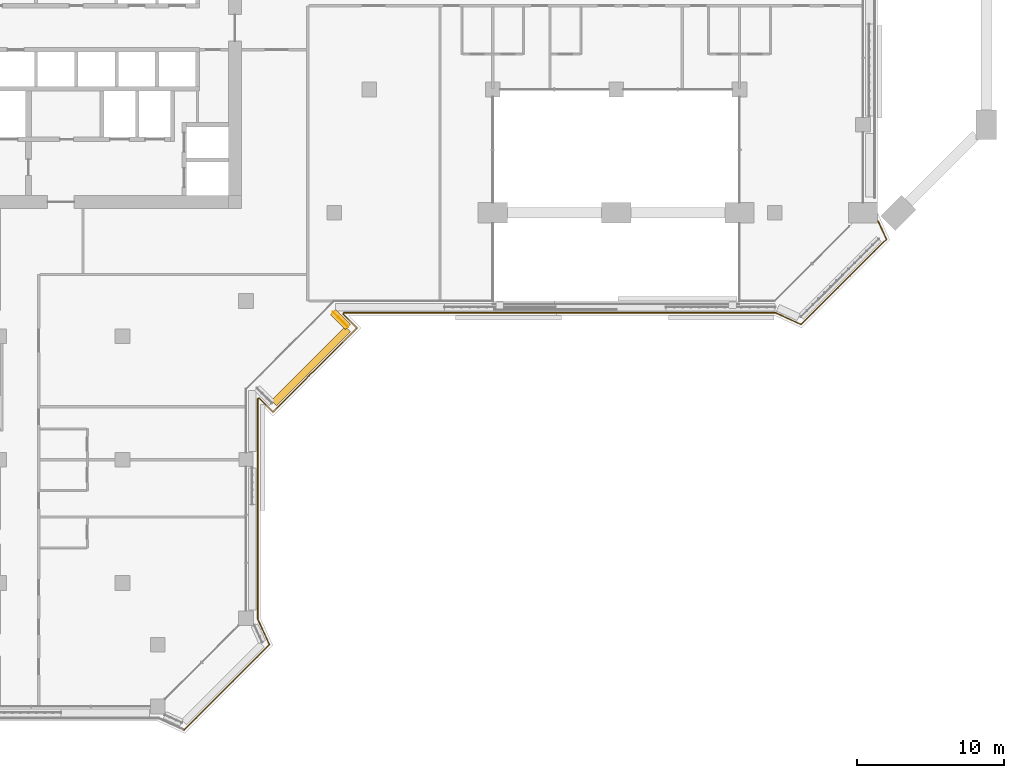
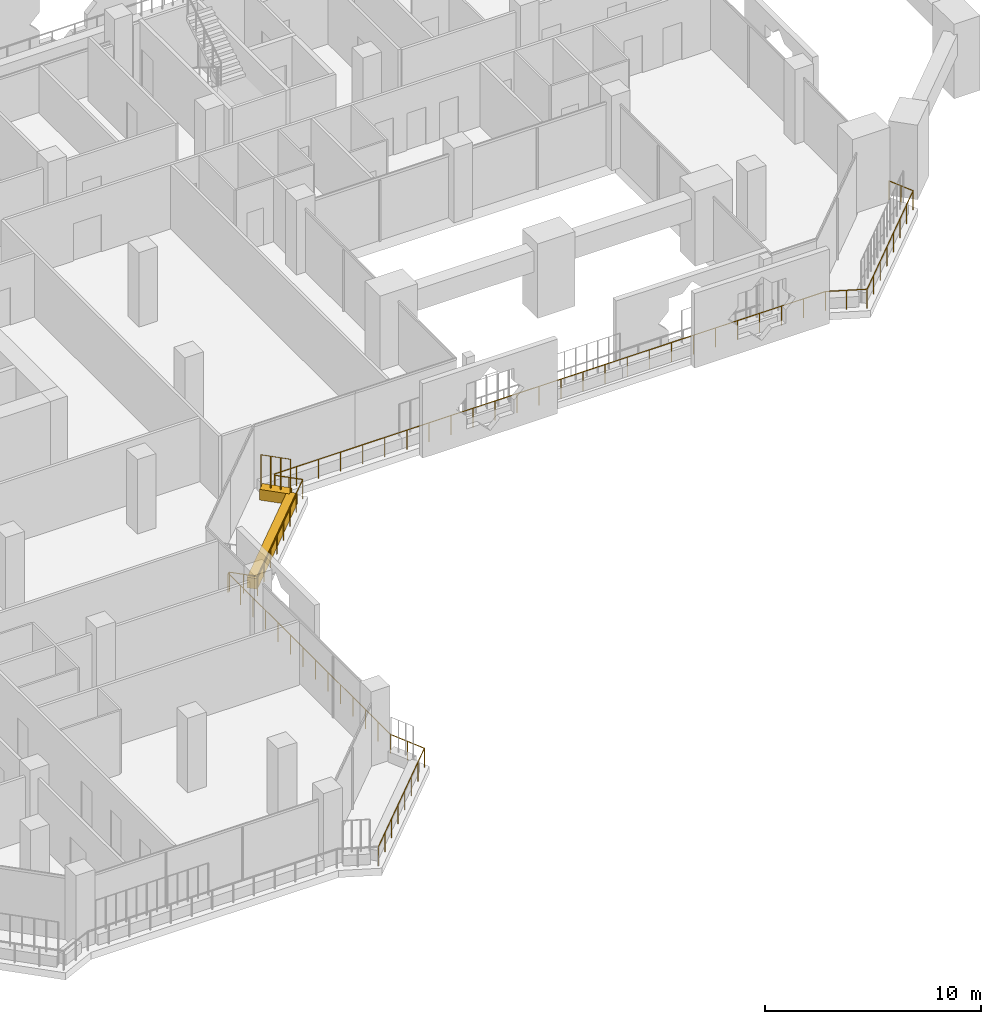
# One storey, part 18 of 23: 2 coverings, 2 railings.
"""IFC4 building model written with IfcOpenShell, lengths in metres."""

from ifc_helpers import new_model, si_unit, direction, frame, origin, origin_2d, place, context, subcontext, project, spatial, rectangle, circle, extrude, material, material_profile, profile_set, type_object, element, save


model = new_model("IFC4")

# Units and contexts
model_context = context("Model", 3, precision=1e-05, world=origin(), true_north=direction((0.0, 1.0)))
body_context = subcontext(model_context, "Body", "Model", "MODEL_VIEW")
ifc_project = project(units=[si_unit("LENGTHUNIT", "METRE"), si_unit("AREAUNIT", "SQUARE_METRE"), si_unit("VOLUMEUNIT", "CUBIC_METRE"), si_unit("PLANEANGLEUNIT", "RADIAN"), si_unit("MASSUNIT", "GRAM", prefix="KILO")], contexts=[model_context])

# Site, building, storey
site_placement = place(None, origin())
site = spatial("IfcSite", under=ifc_project, at=site_placement, CompositionType="ELEMENT")
building_placement = place(site_placement, origin())
building = spatial("IfcBuilding", under=site, at=building_placement, Name="Kawkab Arch Medical Tower", CompositionType="ELEMENT")
storey_placement = place(building_placement, frame((0.0, 0.0, 166.800048828125)))
storey = spatial("IfcBuildingStorey", under=building, at=storey_placement, Name="L38", CompositionType="ELEMENT", Elevation=166.800048828125)

# Railing
ifc_material_1 = material(Name="Bronze anodised aluminium guard", Category="aluminium")
railing_type_1 = type_object("IfcRailingType", Name="Loggia and terrace guard 1100", PredefinedType="GUARDRAIL", material=ifc_material_1)
railing_1_placement = place(storey_placement, frame((68.22998046875, -25.748046875, 0.0)))
element("IfcRailing", 1, at=railing_1_placement, inside=storey, type_object=railing_type_1, Name="Guard L38.LOG-01.2.2", PredefinedType="GUARDRAIL", context=body_context, shape_type="SweptSolid", body=[
    extrude(circle(Radius=0.02392578125, at=origin_2d()), frame((0.0, 0.0, 1.076171875), z_axis=(0.414567890698, -0.910018386629, 0.0), x_axis=(0.910018386629, 0.414567890698, 0.0)), (0.0, 0.0, 1.0), 1.370361328125),
    extrude(circle(Radius=0.02392578125, at=origin_2d()), frame((0.568115234375, -1.2470703125, 1.076171875), z_axis=(-0.707106781187, -0.707106781187, 0.0), x_axis=(0.707106781187, -0.707106781187, 0.0)), (0.0, 0.0, 1.0), 8.20654296875),
    extrude(circle(Radius=0.02392578125, at=origin_2d()), frame((-5.23486328125, -7.050048828125, 1.076171875), z_axis=(-0.910044860056, 0.414509773934, 0.0), x_axis=(-0.414509773934, -0.910044860056, 0.0)), (0.0, 0.0, 1.0), 1.92529296875),
    extrude(circle(Radius=0.02392578125, at=origin_2d()), frame((-6.987060546875, -6.251953125, 1.076171875), z_axis=(-1.0, 0.0, 0.0), x_axis=(0.0, -1.0, 0.0)), (0.0, 0.0, 1.0), 29.392822265625),
    extrude(circle(Radius=0.02392578125, at=origin_2d()), frame((-36.3798828125, -6.251953125, 1.076171875), z_axis=(-0.383763674343, -0.923431341387, 0.0), x_axis=(0.923431341387, -0.383763674343, 0.0)), (0.0, 0.0, 1.0), 0.101806640625),
    extrude(circle(Radius=0.02392578125, at=origin_2d()), frame((-36.4189453125, -6.345947265625, 1.076171875), z_axis=(0.707015335112, -0.707198215437, 0.0), x_axis=(0.707198215437, 0.707015335112, 0.0)), (0.0, 0.0, 1.0), 1.3349609375),
    extrude(circle(Radius=0.02392578125, at=origin_2d()), frame((-35.47509765625, -7.2900390625, 1.076171875), z_axis=(-0.707106781187, -0.707106781187, 0.0), x_axis=(0.707106781187, -0.707106781187, 0.0)), (0.0, 0.0, 1.0), 8.084716796875),
    extrude(circle(Radius=0.02392578125, at=origin_2d()), frame((-41.19189453125, -13.0068359375, 1.076171875), z_axis=(-0.707198215437, 0.707015335112, 0.0), x_axis=(-0.707015335112, -0.707198215437, 0.0)), (0.0, 0.0, 1.0), 1.3349609375),
    extrude(circle(Radius=0.02392578125, at=origin_2d()), frame((-42.135986328125, -12.06298828125, 1.076171875), z_axis=(-0.923431341387, -0.383763674343, 0.0), x_axis=(0.383763674343, -0.923431341387, 0.0)), (0.0, 0.0, 1.0), 0.101806640625),
    extrude(circle(Radius=0.02392578125, at=origin_2d()), frame((-42.22998046875, -12.10205078125, 1.076171875), z_axis=(0.0, -1.0, 0.0), x_axis=(1.0, 0.0, 0.0)), (0.0, 0.0, 1.0), 14.992919921875),
    extrude(circle(Radius=0.02392578125, at=origin_2d()), frame((-42.22998046875, -27.094970703125, 1.076171875), z_axis=(0.414557610759, -0.910023069687, 0.0), x_axis=(0.910023069687, 0.414557610759, 0.0)), (0.0, 0.0, 1.0), 1.92529296875),
    extrude(circle(Radius=0.02392578125, at=origin_2d()), frame((-41.431884765625, -28.846923828125, 1.076171875), z_axis=(-0.707106781187, -0.707106781187, 0.0), x_axis=(0.707106781187, -0.707106781187, 0.0)), (0.0, 0.0, 1.0), 8.20654296875),
    extrude(circle(Radius=0.02099609375, at=origin_2d()), origin(), (0.0, 0.0, 1.0), 1.052001953125),
    extrude(circle(Radius=0.02099609375, at=origin_2d()), frame((0.2841796875, -0.62353515625, 0.0)), (0.0, 0.0, 1.0), 1.052001953125),
    extrude(circle(Radius=0.02099609375, at=origin_2d()), frame((0.568115234375, -1.2470703125, 0.0)), (0.0, 0.0, 1.0), 1.052001953125),
    extrude(circle(Radius=0.02099609375, at=origin_2d()), frame((-0.260986328125, -2.076171875, 0.0)), (0.0, 0.0, 1.0), 1.052001953125),
    extrude(circle(Radius=0.02099609375, at=origin_2d()), frame((-1.08984375, -2.905029296875, 0.0)), (0.0, 0.0, 1.0), 1.052001953125),
    extrude(circle(Radius=0.02099609375, at=origin_2d()), frame((-1.9189453125, -3.734130859375, 0.0)), (0.0, 0.0, 1.0), 1.052001953125),
    extrude(circle(Radius=0.02099609375, at=origin_2d()), frame((-2.747802734375, -4.56298828125, 0.0)), (0.0, 0.0, 1.0), 1.052001953125),
    extrude(circle(Radius=0.02099609375, at=origin_2d()), frame((-3.576904296875, -5.39208984375, 0.0)), (0.0, 0.0, 1.0), 1.052001953125),
    extrude(circle(Radius=0.02099609375, at=origin_2d()), frame((-4.40576171875, -6.220947265625, 0.0)), (0.0, 0.0, 1.0), 1.052001953125),
    extrude(circle(Radius=0.02099609375, at=origin_2d()), frame((-5.23486328125, -7.050048828125, 0.0)), (0.0, 0.0, 1.0), 1.052001953125),
    extrude(circle(Radius=0.02099609375, at=origin_2d()), frame((-6.11083984375, -6.65087890625, 0.0)), (0.0, 0.0, 1.0), 1.052001953125),
    extrude(circle(Radius=0.02099609375, at=origin_2d()), frame((-6.987060546875, -6.251953125, 0.0)), (0.0, 0.0, 1.0), 1.052001953125),
    extrude(circle(Radius=0.02099609375, at=origin_2d()), frame((-8.162841796875, -6.251953125, 0.0)), (0.0, 0.0, 1.0), 1.052001953125),
    extrude(circle(Radius=0.02099609375, at=origin_2d()), frame((-9.33837890625, -6.251953125, 0.0)), (0.0, 0.0, 1.0), 1.052001953125),
    extrude(circle(Radius=0.02099609375, at=origin_2d()), frame((-10.51416015625, -6.251953125, 0.0)), (0.0, 0.0, 1.0), 1.052001953125),
    extrude(circle(Radius=0.02099609375, at=origin_2d()), frame((-11.68994140625, -6.251953125, 0.0)), (0.0, 0.0, 1.0), 1.052001953125),
    extrude(circle(Radius=0.02099609375, at=origin_2d()), frame((-12.86572265625, -6.251953125, 0.0)), (0.0, 0.0, 1.0), 1.052001953125),
    extrude(circle(Radius=0.02099609375, at=origin_2d()), frame((-14.041259765625, -6.251953125, 0.0)), (0.0, 0.0, 1.0), 1.052001953125),
    extrude(circle(Radius=0.02099609375, at=origin_2d()), frame((-15.217041015625, -6.251953125, 0.0)), (0.0, 0.0, 1.0), 1.052001953125),
    extrude(circle(Radius=0.02099609375, at=origin_2d()), frame((-16.392822265625, -6.251953125, 0.0)), (0.0, 0.0, 1.0), 1.052001953125),
    extrude(circle(Radius=0.02099609375, at=origin_2d()), frame((-17.568359375, -6.251953125, 0.0)), (0.0, 0.0, 1.0), 1.052001953125),
    extrude(circle(Radius=0.02099609375, at=origin_2d()), frame((-18.744140625, -6.251953125, 0.0)), (0.0, 0.0, 1.0), 1.052001953125),
    extrude(circle(Radius=0.02099609375, at=origin_2d()), frame((-19.919921875, -6.251953125, 0.0)), (0.0, 0.0, 1.0), 1.052001953125),
    extrude(circle(Radius=0.02099609375, at=origin_2d()), frame((-21.095703125, -6.251953125, 0.0)), (0.0, 0.0, 1.0), 1.052001953125),
    extrude(circle(Radius=0.02099609375, at=origin_2d()), frame((-22.271240234375, -6.251953125, 0.0)), (0.0, 0.0, 1.0), 1.052001953125),
    extrude(circle(Radius=0.02099609375, at=origin_2d()), frame((-23.447021484375, -6.251953125, 0.0)), (0.0, 0.0, 1.0), 1.052001953125),
    extrude(circle(Radius=0.02099609375, at=origin_2d()), frame((-24.622802734375, -6.251953125, 0.0)), (0.0, 0.0, 1.0), 1.052001953125),
    extrude(circle(Radius=0.02099609375, at=origin_2d()), frame((-25.798583984375, -6.251953125, 0.0)), (0.0, 0.0, 1.0), 1.052001953125),
    extrude(circle(Radius=0.02099609375, at=origin_2d()), frame((-26.97412109375, -6.251953125, 0.0)), (0.0, 0.0, 1.0), 1.052001953125),
    extrude(circle(Radius=0.02099609375, at=origin_2d()), frame((-28.14990234375, -6.251953125, 0.0)), (0.0, 0.0, 1.0), 1.052001953125),
    extrude(circle(Radius=0.02099609375, at=origin_2d()), frame((-29.32568359375, -6.251953125, 0.0)), (0.0, 0.0, 1.0), 1.052001953125),
    extrude(circle(Radius=0.02099609375, at=origin_2d()), frame((-30.501220703125, -6.251953125, 0.0)), (0.0, 0.0, 1.0), 1.052001953125),
    extrude(circle(Radius=0.02099609375, at=origin_2d()), frame((-31.677001953125, -6.251953125, 0.0)), (0.0, 0.0, 1.0), 1.052001953125),
    extrude(circle(Radius=0.02099609375, at=origin_2d()), frame((-32.852783203125, -6.251953125, 0.0)), (0.0, 0.0, 1.0), 1.052001953125),
    extrude(circle(Radius=0.02099609375, at=origin_2d()), frame((-34.028564453125, -6.251953125, 0.0)), (0.0, 0.0, 1.0), 1.052001953125),
    extrude(circle(Radius=0.02099609375, at=origin_2d()), frame((-35.2041015625, -6.251953125, 0.0)), (0.0, 0.0, 1.0), 1.052001953125),
    extrude(circle(Radius=0.02099609375, at=origin_2d()), frame((-36.3798828125, -6.251953125, 0.0)), (0.0, 0.0, 1.0), 1.052001953125),
    extrude(circle(Radius=0.02099609375, at=origin_2d()), frame((-36.4189453125, -6.345947265625, 0.0)), (0.0, 0.0, 1.0), 1.052001953125),
    extrude(circle(Radius=0.02099609375, at=origin_2d()), frame((-35.947021484375, -6.81787109375, 0.0)), (0.0, 0.0, 1.0), 1.052001953125),
    extrude(circle(Radius=0.02099609375, at=origin_2d()), frame((-35.47509765625, -7.2900390625, 0.0)), (0.0, 0.0, 1.0), 1.052001953125),
    extrude(circle(Radius=0.02099609375, at=origin_2d()), frame((-36.291748046875, -8.106689453125, 0.0)), (0.0, 0.0, 1.0), 1.052001953125),
    extrude(circle(Radius=0.02099609375, at=origin_2d()), frame((-37.1083984375, -8.92333984375, 0.0)), (0.0, 0.0, 1.0), 1.052001953125),
    extrude(circle(Radius=0.02099609375, at=origin_2d()), frame((-37.925048828125, -9.739990234375, 0.0)), (0.0, 0.0, 1.0), 1.052001953125),
    extrude(circle(Radius=0.02099609375, at=origin_2d()), frame((-38.741943359375, -10.556884765625, 0.0)), (0.0, 0.0, 1.0), 1.052001953125),
    extrude(circle(Radius=0.02099609375, at=origin_2d()), frame((-39.55859375, -11.37353515625, 0.0)), (0.0, 0.0, 1.0), 1.052001953125),
    extrude(circle(Radius=0.02099609375, at=origin_2d()), frame((-40.375244140625, -12.190185546875, 0.0)), (0.0, 0.0, 1.0), 1.052001953125),
    extrude(circle(Radius=0.02099609375, at=origin_2d()), frame((-41.19189453125, -13.0068359375, 0.0)), (0.0, 0.0, 1.0), 1.052001953125),
    extrude(circle(Radius=0.02099609375, at=origin_2d()), frame((-41.6640625, -12.534912109375, 0.0)), (0.0, 0.0, 1.0), 1.052001953125),
    extrude(circle(Radius=0.02099609375, at=origin_2d()), frame((-42.135986328125, -12.06298828125, 0.0)), (0.0, 0.0, 1.0), 1.052001953125),
    extrude(circle(Radius=0.02099609375, at=origin_2d()), frame((-42.22998046875, -12.10205078125, 0.0)), (0.0, 0.0, 1.0), 1.052001953125),
    extrude(circle(Radius=0.02099609375, at=origin_2d()), frame((-42.22998046875, -13.25537109375, 0.0)), (0.0, 0.0, 1.0), 1.052001953125),
    extrude(circle(Radius=0.02099609375, at=origin_2d()), frame((-42.22998046875, -14.40869140625, 0.0)), (0.0, 0.0, 1.0), 1.052001953125),
    extrude(circle(Radius=0.02099609375, at=origin_2d()), frame((-42.22998046875, -15.56201171875, 0.0)), (0.0, 0.0, 1.0), 1.052001953125),
    extrude(circle(Radius=0.02099609375, at=origin_2d()), frame((-42.22998046875, -16.71533203125, 0.0)), (0.0, 0.0, 1.0), 1.052001953125),
    extrude(circle(Radius=0.02099609375, at=origin_2d()), frame((-42.22998046875, -17.86865234375, 0.0)), (0.0, 0.0, 1.0), 1.052001953125),
    extrude(circle(Radius=0.02099609375, at=origin_2d()), frame((-42.22998046875, -19.02197265625, 0.0)), (0.0, 0.0, 1.0), 1.052001953125),
    extrude(circle(Radius=0.02099609375, at=origin_2d()), frame((-42.22998046875, -20.175048828125, 0.0)), (0.0, 0.0, 1.0), 1.052001953125),
    extrude(circle(Radius=0.02099609375, at=origin_2d()), frame((-42.22998046875, -21.328369140625, 0.0)), (0.0, 0.0, 1.0), 1.052001953125),
    extrude(circle(Radius=0.02099609375, at=origin_2d()), frame((-42.22998046875, -22.481689453125, 0.0)), (0.0, 0.0, 1.0), 1.052001953125),
    extrude(circle(Radius=0.02099609375, at=origin_2d()), frame((-42.22998046875, -23.635009765625, 0.0)), (0.0, 0.0, 1.0), 1.052001953125),
    extrude(circle(Radius=0.02099609375, at=origin_2d()), frame((-42.22998046875, -24.788330078125, 0.0)), (0.0, 0.0, 1.0), 1.052001953125),
    extrude(circle(Radius=0.02099609375, at=origin_2d()), frame((-42.22998046875, -25.941650390625, 0.0)), (0.0, 0.0, 1.0), 1.052001953125),
    extrude(circle(Radius=0.02099609375, at=origin_2d()), frame((-42.22998046875, -27.094970703125, 0.0)), (0.0, 0.0, 1.0), 1.052001953125),
    extrude(circle(Radius=0.02099609375, at=origin_2d()), frame((-41.8310546875, -27.970947265625, 0.0)), (0.0, 0.0, 1.0), 1.052001953125),
    extrude(circle(Radius=0.02099609375, at=origin_2d()), frame((-41.431884765625, -28.846923828125, 0.0)), (0.0, 0.0, 1.0), 1.052001953125),
    extrude(circle(Radius=0.02099609375, at=origin_2d()), frame((-42.260986328125, -29.676025390625, 0.0)), (0.0, 0.0, 1.0), 1.052001953125),
    extrude(circle(Radius=0.02099609375, at=origin_2d()), frame((-43.08984375, -30.5048828125, 0.0)), (0.0, 0.0, 1.0), 1.052001953125),
    extrude(circle(Radius=0.02099609375, at=origin_2d()), frame((-43.9189453125, -31.333984375, 0.0)), (0.0, 0.0, 1.0), 1.052001953125),
    extrude(circle(Radius=0.02099609375, at=origin_2d()), frame((-44.747802734375, -32.162841796875, 0.0)), (0.0, 0.0, 1.0), 1.052001953125),
    extrude(circle(Radius=0.02099609375, at=origin_2d()), frame((-45.576904296875, -32.991943359375, 0.0)), (0.0, 0.0, 1.0), 1.052001953125),
    extrude(circle(Radius=0.02099609375, at=origin_2d()), frame((-46.40576171875, -33.82080078125, 0.0)), (0.0, 0.0, 1.0), 1.052001953125),
    extrude(circle(Radius=0.02099609375, at=origin_2d()), frame((-47.23486328125, -34.64990234375, 0.0)), (0.0, 0.0, 1.0), 1.052001953125),
])

# Coverings
ifc_material_2 = material(Name="Planting soil in a precast trough", Category="concrete")
ifc_material_profile = material_profile(ifc_material_2, rectangle(XDim=0.5, YDim=0.60009765625, at=origin_2d()), Name="Trough 500x600")
ifc_profile_set = profile_set([ifc_material_profile], Name="Planting soil in a precast trough")
covering_type = type_object("IfcCoveringType", Name="Planter trough 500 x 600", PredefinedType="USERDEFINED", material=ifc_profile_set)
covering_1_placement = place(storey_placement, frame((31.14306640625, -31.962890625, 0.300048828125), z_axis=(0.707020805532, -0.707192746389, 0.0), x_axis=(0.707192746389, 0.707020805532, 0.0)))
element("IfcCovering", 2, at=covering_1_placement, inside=storey, type_object=covering_type, Name="Planter L38.LOG-01-02.39", ObjectType="PLANTER", PredefinedType="USERDEFINED", context=body_context, shape_type="SweptSolid", body=[
    extrude(rectangle(XDim=0.5, YDim=0.60009765625, at=origin_2d()), origin(), (0.0, 0.0, 1.0), 1.419921875),
])
covering_2_placement = place(storey_placement, frame((32.14697265625, -33.10888671875, 0.300048828125), z_axis=(-0.707106781187, -0.707106781187, 0.0), x_axis=(0.707106781187, -0.707106781187, 0.0)))
element("IfcCovering", 3, at=covering_2_placement, inside=storey, type_object=covering_type, Name="Planter L38.LOG-01-02.40", ObjectType="PLANTER", PredefinedType="USERDEFINED", context=body_context, shape_type="SweptSolid", body=[
    extrude(rectangle(XDim=0.5, YDim=0.60009765625, at=origin_2d()), origin(), (0.0, 0.0, 1.0), 7.125),
])

# Railing
ifc_material_3 = material(Name="Bronze anodised aluminium trellis for climbing plants", Category="aluminium")
railing_type_2 = type_object("IfcRailingType", Name="Planting trellis 2400", PredefinedType="USERDEFINED", material=ifc_material_3)
railing_2_placement = place(storey_placement, frame((31.14306640625, -31.962890625, 0.0)))
element("IfcRailing", 4, at=railing_2_placement, inside=storey, type_object=railing_type_2, Name="Planting trellis L38.LOG-01-02.39", ObjectType="TRELLIS", PredefinedType="USERDEFINED", context=body_context, shape_type="SweptSolid", body=[
    extrude(circle(Radius=0.01513671875, at=origin_2d()), frame((0.0, 0.0, 2.384765625), z_axis=(0.707020805532, -0.707192746389, 0.0), x_axis=(0.707192746389, 0.707020805532, 0.0)), (0.0, 0.0, 1.0), 1.419921875),
    extrude(circle(Radius=0.030029296875, at=origin_2d()), origin(), (0.0, 0.0, 1.0), 2.369873046875),
    extrude(circle(Radius=0.030029296875, at=origin_2d()), frame((0.334716796875, -0.334716796875, 0.0)), (0.0, 0.0, 1.0), 2.369873046875),
    extrude(circle(Radius=0.030029296875, at=origin_2d()), frame((0.669189453125, -0.66943359375, 0.0)), (0.0, 0.0, 1.0), 2.369873046875),
    extrude(circle(Radius=0.030029296875, at=origin_2d()), frame((1.00390625, -1.004150390625, 0.0)), (0.0, 0.0, 1.0), 2.369873046875),
])

save(model, "model.ifc")
